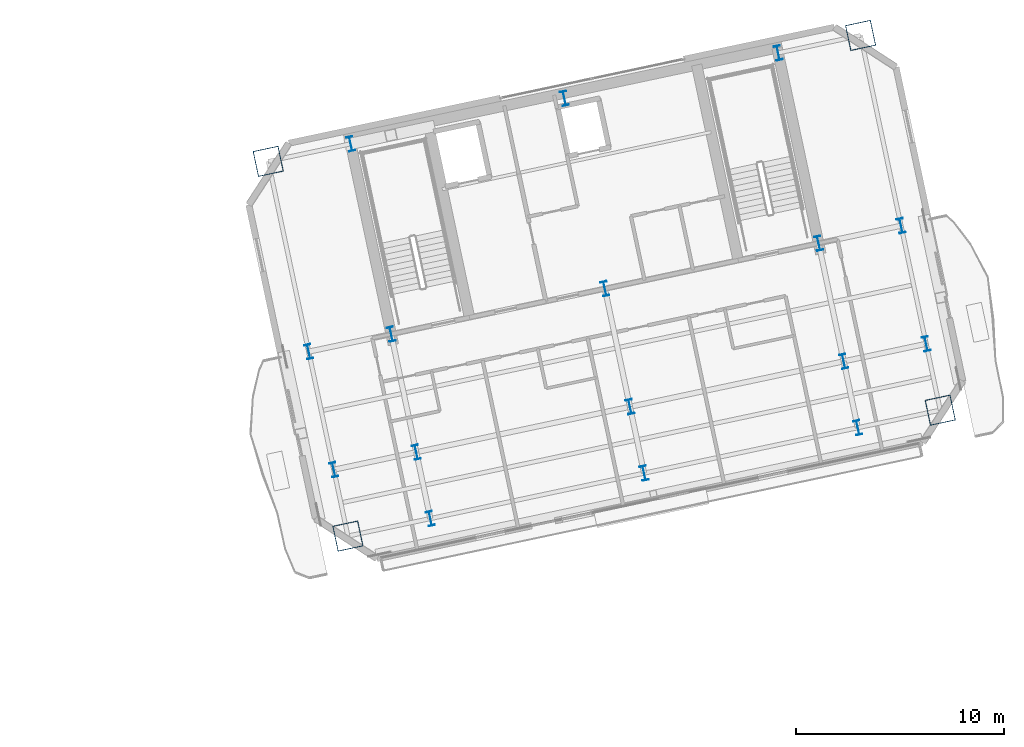
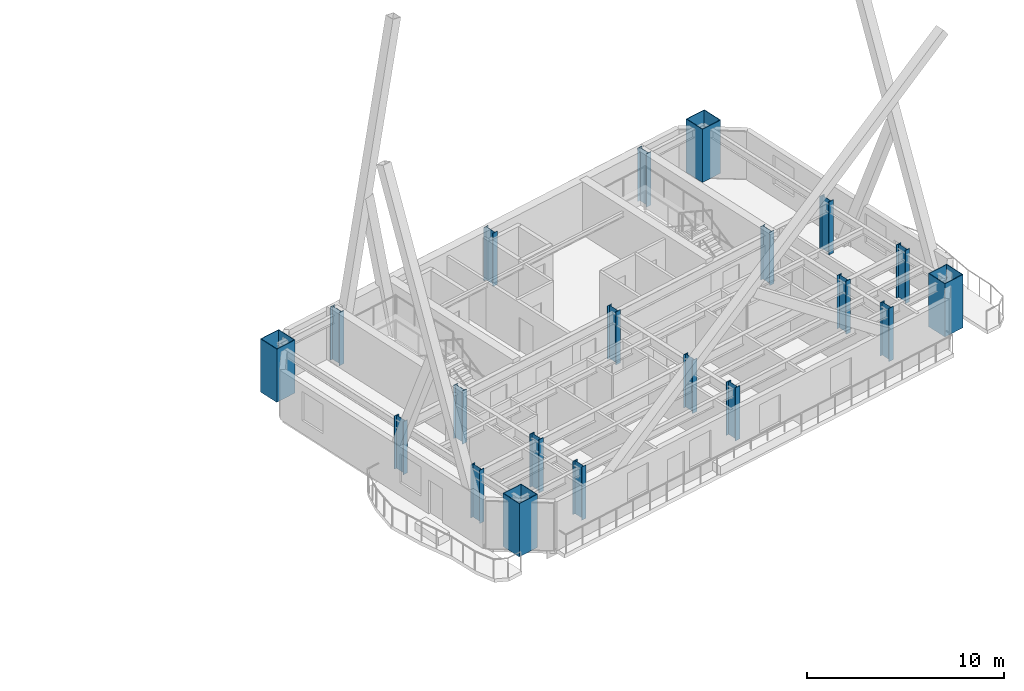
# One storey, part 2 of 19: 20 columns.
"""IFC4 building model written with IfcOpenShell, lengths in metres."""

from ifc_helpers import new_model, si_unit, direction, frame, origin, origin_2d, place, context, subcontext, project, spatial, hollow_rectangle, i_section, extrude, material, material_profile, profile_set, type_object, element, save


model = new_model("IFC4")

# Units and contexts
model_context = context("Model", 3, precision=1e-05, world=origin(), true_north=direction((0.0, 1.0)))
body_context = subcontext(model_context, "Body", "Model", "MODEL_VIEW")
ifc_project = project(units=[si_unit("LENGTHUNIT", "METRE"), si_unit("AREAUNIT", "SQUARE_METRE"), si_unit("VOLUMEUNIT", "CUBIC_METRE"), si_unit("PLANEANGLEUNIT", "RADIAN"), si_unit("MASSUNIT", "GRAM", prefix="KILO")], contexts=[model_context])

# Site, building, storey
site_placement = place(None, origin())
site = spatial("IfcSite", under=ifc_project, at=site_placement, CompositionType="ELEMENT")
building_placement = place(site_placement, origin())
building = spatial("IfcBuilding", under=site, at=building_placement, Name="Haevon Station Towers", CompositionType="ELEMENT")
storey_placement = place(building_placement, frame((0.0, 0.0, 156.0)))
storey = spatial("IfcBuildingStorey", under=building, at=storey_placement, Name="L42", CompositionType="ELEMENT", Elevation=156.0)

# Columns
ifc_material_1 = material(Name="Steel S460", Category="steel")
ifc_material_profile_1 = material_profile(ifc_material_1, hollow_rectangle(XDim=1.25, YDim=1.25, WallThickness=0.034912109375, at=origin_2d()), Name="BOX-1250x1250x35")
ifc_profile_set_1 = profile_set([ifc_material_profile_1], Name="Steel S460")
column_type_1 = type_object("IfcColumnType", Name="COL-MC4", PredefinedType="COLUMN", material=ifc_profile_set_1)
for number, where, z_axis, x_axis, name in (
    (1, (96.674560546875, 27.73828125, 0.0), (0.0, 0.0, 1.0), (0.978147600734, 0.207911690818, 0.0), "COL-T2-L42-01-01"),
    (2, (92.846923828125, 45.74609375, 0.0), (0.0, 0.0, 1.0), (0.978147600734, 0.207911690818, 0.0), "COL-T2-L42-01-04"),
    (3, (125.138671875, 33.78857421875, 0.0), (0.0, 0.0, 1.0), (0.978147600734, 0.207911690818, 0.0), "COL-T2-L42-05-01"),
    (4, (121.31103515625, 51.79638671875, 0.0), (0.0, 0.0, 1.0), (0.978147600734, 0.207911690818, 0.0), "COL-T2-L42-05-04"),
):
    element("IfcColumn", number, at=place(storey_placement, frame(where, z_axis=z_axis, x_axis=x_axis)), inside=storey, type_object=column_type_1, Name=name, PredefinedType="COLUMN", context=body_context, shape_type="SweptSolid", body=[
        extrude(hollow_rectangle(XDim=1.25, YDim=1.25, WallThickness=0.034912109375, at=origin_2d()), origin(), (0.0, 0.0, 1.0), 3.300048828125),
    ])
ifc_material_2 = material(Name="Steel S355", Category="steel")
ifc_material_profile_2 = material_profile(ifc_material_2, i_section(OverallWidth=0.300048828125, OverallDepth=0.699951171875, WebThickness=0.01611328125, FlangeThickness=0.028076171875, at=origin_2d()), Name="H-700x300x16x28")
ifc_profile_set_2 = profile_set([ifc_material_profile_2], Name="Steel S355")
column_type_2 = type_object("IfcColumnType", Name="COL-TW3", PredefinedType="COLUMN", material=ifc_profile_set_2)
for number, where, z_axis, x_axis, name in (
    (5, (95.996826171875, 30.927001953125, 0.0), (0.0, 0.0, 1.0), (0.978147600734, 0.207911690818, 0.0), "COL-T2-L42-01-02"),
    (6, (94.790771484375, 36.600341796875, 0.0), (0.0, 0.0, 1.0), (0.978147600734, 0.207911690818, 0.0), "COL-T2-L42-01-03"),
    (7, (100.635986328125, 28.580322265625, 0.0), (0.0, 0.0, 1.0), (0.978147600734, 0.207911690818, 0.0), "COL-T2-L42-02-01"),
    (8, (99.958251953125, 31.76904296875, 0.0), (0.0, 0.0, 1.0), (0.978147600734, 0.207911690818, 0.0), "COL-T2-L42-02-02"),
    (9, (98.75244140625, 37.4423828125, 0.0), (0.0, 0.0, 1.0), (0.978147600734, 0.207911690818, 0.0), "COL-T2-L42-02-03"),
    (10, (96.808349609375, 46.588134765625, 0.0), (0.0, 0.0, 1.0), (0.978147600734, 0.207911690818, 0.0), "COL-T2-L42-02-04"),
    (11, (110.906494140625, 30.763427734375, 0.0), (0.0, 0.0, 1.0), (0.978147600734, 0.207911690818, 0.0), "COL-T2-L42-03-01"),
    (12, (110.228759765625, 33.9521484375, 0.0), (0.0, 0.0, 1.0), (0.978147600734, 0.207911690818, 0.0), "COL-T2-L42-03-02"),
    (13, (109.02294921875, 39.62548828125, 0.0), (0.0, 0.0, 1.0), (0.978147600734, 0.207911690818, 0.0), "COL-T2-L42-03-03"),
    (14, (107.078857421875, 48.771240234375, 0.0), (0.0, 0.0, 1.0), (0.978147600734, 0.207911690818, 0.0), "COL-T2-L42-03-04"),
    (15, (121.17724609375, 32.946533203125, 0.0), (0.0, 0.0, 1.0), (0.978147600734, 0.207911690818, 0.0), "COL-T2-L42-04-01"),
    (16, (120.499267578125, 36.13525390625, 0.0), (0.0, 0.0, 1.0), (0.978147600734, 0.207911690818, 0.0), "COL-T2-L42-04-02"),
    (17, (119.29345703125, 41.80859375, 0.0), (0.0, 0.0, 1.0), (0.978147600734, 0.207911690818, 0.0), "COL-T2-L42-04-03"),
    (18, (117.349365234375, 50.954345703125, 0.0), (0.0, 0.0, 1.0), (0.978147600734, 0.207911690818, 0.0), "COL-T2-L42-04-04"),
    (19, (124.4609375, 36.977294921875, 0.0), (0.0, 0.0, 1.0), (0.978147600734, 0.207911690818, 0.0), "COL-T2-L42-05-02"),
    (20, (123.2548828125, 42.650634765625, 0.0), (0.0, 0.0, 1.0), (0.978147600734, 0.207911690818, 0.0), "COL-T2-L42-05-03"),
):
    element("IfcColumn", number, at=place(storey_placement, frame(where, z_axis=z_axis, x_axis=x_axis)), inside=storey, type_object=column_type_2, Name=name, PredefinedType="COLUMN", context=body_context, shape_type="SweptSolid", body=[
        extrude(i_section(OverallWidth=0.300048828125, OverallDepth=0.699951171875, WebThickness=0.01611328125, FlangeThickness=0.028076171875, at=origin_2d()), origin(), (0.0, 0.0, 1.0), 3.300048828125),
    ])

save(model, "model.ifc")
